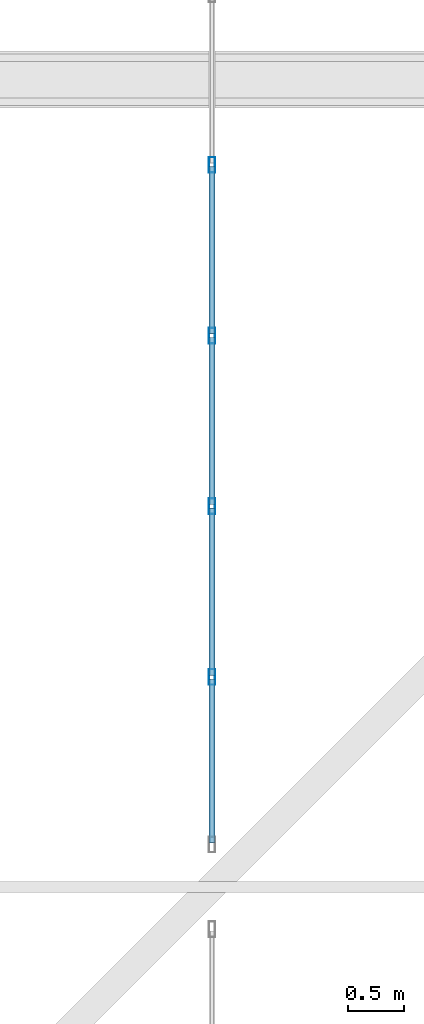
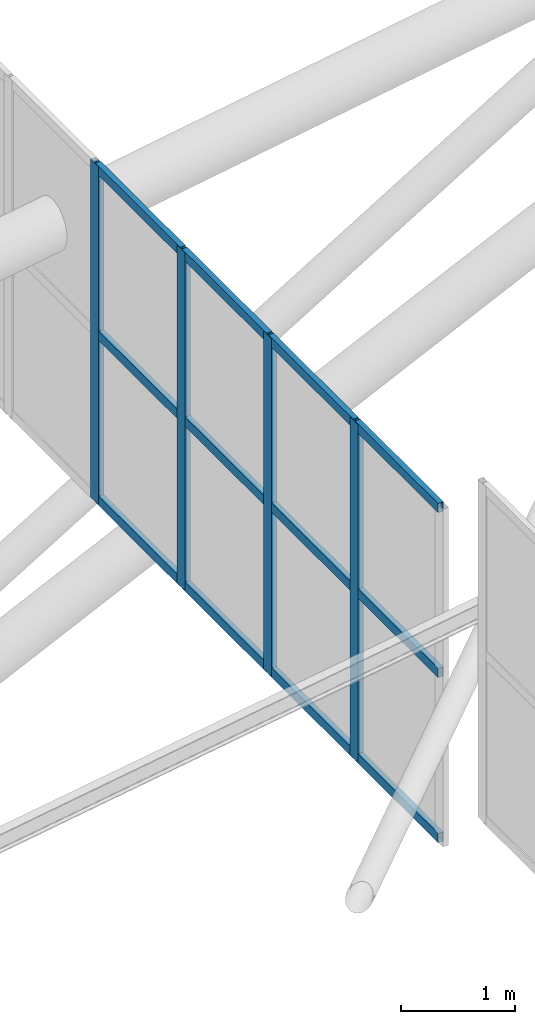
# One storey, part 196 of 397: 16 members, 1 element without a shape of its own.
"""IFC4 building model written with IfcOpenShell, lengths in metres."""

from ifc_helpers import new_model, si_unit, direction, frame, origin, origin_2d, place, context, subcontext, project, spatial, hollow_rectangle, extrude, material, material_profile, profile_set, type_object, element, aggregate, save


model = new_model("IFC4")

# Units and contexts
model_context = context("Model", 3, precision=1e-05, world=origin(), true_north=direction((0.0, 1.0)))
body_context = subcontext(model_context, "Body", "Model", "MODEL_VIEW")
ifc_project = project(units=[si_unit("LENGTHUNIT", "METRE"), si_unit("AREAUNIT", "SQUARE_METRE"), si_unit("VOLUMEUNIT", "CUBIC_METRE"), si_unit("PLANEANGLEUNIT", "RADIAN"), si_unit("MASSUNIT", "GRAM", prefix="KILO")], contexts=[model_context])

# Site, building, storey
site_placement = place(None, origin())
site = spatial("IfcSite", under=ifc_project, at=site_placement, CompositionType="ELEMENT")
building_placement = place(site_placement, origin())
building = spatial("IfcBuilding", under=site, at=building_placement, Name="Qandorah Velis Arena", CompositionType="ELEMENT")
storey_placement = place(building_placement, frame((0.0, 0.0, 27.5)))
storey = spatial("IfcBuildingStorey", under=building, at=storey_placement, Name="RF", CompositionType="ELEMENT", Elevation=27.5)

# Curtain wall, members
ifc_material_1 = material(Name="Solar-control low-E double glazing", Category="glass")
curtain_wall_type = type_object("IfcCurtainWallType", Name="ARC-CW-SYS11", PredefinedType="USERDEFINED", material=ifc_material_1)
curtain_wall_placement = place(storey_placement, origin())
curtain_wall = element("IfcCurtainWall", 1, at=curtain_wall_placement, inside=storey, type_object=curtain_wall_type, Name="Unitised curtain wall MON-1-5", ObjectType="UNITISED CURTAIN WALL", PredefinedType="USERDEFINED")
ifc_material_2 = material(Name="Champagne-bronze anodized aluminium 6063-T6", Category="aluminium")
ifc_material_profile_1 = material_profile(ifc_material_2, hollow_rectangle(XDim=0.054931640625, YDim=0.139892578125, WallThickness=0.0029296875, at=origin_2d()), Name="ALU MULLION 55x140")
ifc_profile_set_1 = profile_set([ifc_material_profile_1], Name="Champagne-bronze anodized aluminium 6063-T6")
member_type_1 = type_object("IfcMemberType", Name="ARC-CWM-140", PredefinedType="MULLION", material=ifc_profile_set_1)
member_1_placement = place(storey_placement, frame((21.60009765625, 81.072265625, 5.13427734375), z_axis=(0.0, 0.0, 1.0), x_axis=(-1.0, 0.0, 0.0)))
member_1 = element("IfcMember", 2, at=member_1_placement, type_object=member_type_1, Name="CW11 mullion 2", PredefinedType="MULLION", context=body_context, shape_type="SweptSolid", body=[
    extrude(hollow_rectangle(XDim=0.054931640625, YDim=0.139892578125, WallThickness=0.0029296875, at=origin_2d()), origin(), (0.0, 0.0, 1.0), 3.630126953125),
])
member_2_placement = place(storey_placement, frame((21.60009765625, 82.594482421875, 5.13427734375), z_axis=(0.0, 0.0, 1.0), x_axis=(-1.0, 0.0, 0.0)))
member_2 = element("IfcMember", 3, at=member_2_placement, type_object=member_type_1, Name="CW11 mullion 3", PredefinedType="MULLION", context=body_context, shape_type="SweptSolid", body=[
    extrude(hollow_rectangle(XDim=0.054931640625, YDim=0.139892578125, WallThickness=0.0029296875, at=origin_2d()), origin(), (0.0, 0.0, 1.0), 3.630126953125),
])
member_3_placement = place(storey_placement, frame((21.60009765625, 84.11669921875, 5.13427734375), z_axis=(0.0, 0.0, 1.0), x_axis=(-1.0, 0.0, 0.0)))
member_3 = element("IfcMember", 4, at=member_3_placement, type_object=member_type_1, Name="CW11 mullion 4", PredefinedType="MULLION", context=body_context, shape_type="SweptSolid", body=[
    extrude(hollow_rectangle(XDim=0.054931640625, YDim=0.139892578125, WallThickness=0.0029296875, at=origin_2d()), origin(), (0.0, 0.0, 1.0), 3.630126953125),
])
member_4_placement = place(storey_placement, frame((21.60009765625, 85.638916015625, 5.13427734375), z_axis=(0.0, 0.0, 1.0), x_axis=(-1.0, 0.0, 0.0)))
member_4 = element("IfcMember", 5, at=member_4_placement, type_object=member_type_1, Name="CW11 mullion 5", PredefinedType="MULLION", context=body_context, shape_type="SweptSolid", body=[
    extrude(hollow_rectangle(XDim=0.054931640625, YDim=0.139892578125, WallThickness=0.0029296875, at=origin_2d()), origin(), (0.0, 0.0, 1.0), 3.630126953125),
])
ifc_material_profile_2 = material_profile(ifc_material_2, hollow_rectangle(XDim=0.054931640625, YDim=0.10009765625, WallThickness=0.0029296875, at=origin_2d()), Name="ALU TRANSOM 55x100")
ifc_profile_set_2 = profile_set([ifc_material_profile_2], Name="Champagne-bronze anodized aluminium 6063-T6")
member_type_2 = type_object("IfcMemberType", Name="ARC-CWT-100", PredefinedType="USERDEFINED", material=ifc_profile_set_2)
member_5_placement = place(storey_placement, frame((21.60009765625, 79.593017578125, 5.1767578125), z_axis=(0.0, 1.0, 0.0), x_axis=(-1.0, 0.0, 0.0)))
member_5 = element("IfcMember", 6, at=member_5_placement, type_object=member_type_2, Name="CW11 transom 1.1", ObjectType="TRANSOM", PredefinedType="USERDEFINED", context=body_context, shape_type="SweptSolid", body=[
    extrude(hollow_rectangle(XDim=0.054931640625, YDim=0.10009765625, WallThickness=0.0029296875, at=origin_2d()), origin(), (0.0, 0.0, 1.0), 1.463623046875),
])
member_6_placement = place(storey_placement, frame((21.60009765625, 79.593017578125, 6.94921875), z_axis=(0.0, 1.0, 0.0), x_axis=(-1.0, 0.0, 0.0)))
member_6 = element("IfcMember", 7, at=member_6_placement, type_object=member_type_2, Name="CW11 transom 1.2", ObjectType="TRANSOM", PredefinedType="USERDEFINED", context=body_context, shape_type="SweptSolid", body=[
    extrude(hollow_rectangle(XDim=0.054931640625, YDim=0.10009765625, WallThickness=0.0029296875, at=origin_2d()), origin(), (0.0, 0.0, 1.0), 1.463623046875),
])
member_7_placement = place(storey_placement, frame((21.60009765625, 79.593017578125, 8.7216796875), z_axis=(0.0, 1.0, 0.0), x_axis=(-1.0, 0.0, 0.0)))
member_7 = element("IfcMember", 8, at=member_7_placement, type_object=member_type_2, Name="CW11 transom 1.3", ObjectType="TRANSOM", PredefinedType="USERDEFINED", context=body_context, shape_type="SweptSolid", body=[
    extrude(hollow_rectangle(XDim=0.054931640625, YDim=0.10009765625, WallThickness=0.0029296875, at=origin_2d()), origin(), (0.0, 0.0, 1.0), 1.463623046875),
])
member_8_placement = place(storey_placement, frame((21.60009765625, 81.087646484375, 5.1767578125), z_axis=(0.0, 1.0, 0.0), x_axis=(-1.0, 0.0, 0.0)))
member_8 = element("IfcMember", 9, at=member_8_placement, type_object=member_type_2, Name="CW11 transom 2.1", ObjectType="TRANSOM", PredefinedType="USERDEFINED", context=body_context, shape_type="SweptSolid", body=[
    extrude(hollow_rectangle(XDim=0.054931640625, YDim=0.10009765625, WallThickness=0.0029296875, at=origin_2d()), origin(), (0.0, 0.0, 1.0), 1.4912109375),
])
member_9_placement = place(storey_placement, frame((21.60009765625, 81.087646484375, 6.94921875), z_axis=(0.0, 1.0, 0.0), x_axis=(-1.0, 0.0, 0.0)))
member_9 = element("IfcMember", 10, at=member_9_placement, type_object=member_type_2, Name="CW11 transom 2.2", ObjectType="TRANSOM", PredefinedType="USERDEFINED", context=body_context, shape_type="SweptSolid", body=[
    extrude(hollow_rectangle(XDim=0.054931640625, YDim=0.10009765625, WallThickness=0.0029296875, at=origin_2d()), origin(), (0.0, 0.0, 1.0), 1.4912109375),
])
member_10_placement = place(storey_placement, frame((21.60009765625, 81.087646484375, 8.7216796875), z_axis=(0.0, 1.0, 0.0), x_axis=(-1.0, 0.0, 0.0)))
member_10 = element("IfcMember", 11, at=member_10_placement, type_object=member_type_2, Name="CW11 transom 2.3", ObjectType="TRANSOM", PredefinedType="USERDEFINED", context=body_context, shape_type="SweptSolid", body=[
    extrude(hollow_rectangle(XDim=0.054931640625, YDim=0.10009765625, WallThickness=0.0029296875, at=origin_2d()), origin(), (0.0, 0.0, 1.0), 1.4912109375),
])
member_11_placement = place(storey_placement, frame((21.60009765625, 82.60986328125, 5.1767578125), z_axis=(0.0, 1.0, 0.0), x_axis=(-1.0, 0.0, 0.0)))
member_11 = element("IfcMember", 12, at=member_11_placement, type_object=member_type_2, Name="CW11 transom 3.1", ObjectType="TRANSOM", PredefinedType="USERDEFINED", context=body_context, shape_type="SweptSolid", body=[
    extrude(hollow_rectangle(XDim=0.054931640625, YDim=0.10009765625, WallThickness=0.0029296875, at=origin_2d()), origin(), (0.0, 0.0, 1.0), 1.491455078125),
])
member_12_placement = place(storey_placement, frame((21.60009765625, 82.60986328125, 6.94921875), z_axis=(0.0, 1.0, 0.0), x_axis=(-1.0, 0.0, 0.0)))
member_12 = element("IfcMember", 13, at=member_12_placement, type_object=member_type_2, Name="CW11 transom 3.2", ObjectType="TRANSOM", PredefinedType="USERDEFINED", context=body_context, shape_type="SweptSolid", body=[
    extrude(hollow_rectangle(XDim=0.054931640625, YDim=0.10009765625, WallThickness=0.0029296875, at=origin_2d()), origin(), (0.0, 0.0, 1.0), 1.491455078125),
])
member_13_placement = place(storey_placement, frame((21.60009765625, 82.60986328125, 8.7216796875), z_axis=(0.0, 1.0, 0.0), x_axis=(-1.0, 0.0, 0.0)))
member_13 = element("IfcMember", 14, at=member_13_placement, type_object=member_type_2, Name="CW11 transom 3.3", ObjectType="TRANSOM", PredefinedType="USERDEFINED", context=body_context, shape_type="SweptSolid", body=[
    extrude(hollow_rectangle(XDim=0.054931640625, YDim=0.10009765625, WallThickness=0.0029296875, at=origin_2d()), origin(), (0.0, 0.0, 1.0), 1.491455078125),
])
member_14_placement = place(storey_placement, frame((21.60009765625, 84.132080078125, 5.1767578125), z_axis=(0.0, 1.0, 0.0), x_axis=(-1.0, 0.0, 0.0)))
member_14 = element("IfcMember", 15, at=member_14_placement, type_object=member_type_2, Name="CW11 transom 4.1", ObjectType="TRANSOM", PredefinedType="USERDEFINED", context=body_context, shape_type="SweptSolid", body=[
    extrude(hollow_rectangle(XDim=0.054931640625, YDim=0.10009765625, WallThickness=0.0029296875, at=origin_2d()), origin(), (0.0, 0.0, 1.0), 1.4912109375),
])
member_15_placement = place(storey_placement, frame((21.60009765625, 84.132080078125, 6.94921875), z_axis=(0.0, 1.0, 0.0), x_axis=(-1.0, 0.0, 0.0)))
member_15 = element("IfcMember", 16, at=member_15_placement, type_object=member_type_2, Name="CW11 transom 4.2", ObjectType="TRANSOM", PredefinedType="USERDEFINED", context=body_context, shape_type="SweptSolid", body=[
    extrude(hollow_rectangle(XDim=0.054931640625, YDim=0.10009765625, WallThickness=0.0029296875, at=origin_2d()), origin(), (0.0, 0.0, 1.0), 1.4912109375),
])
member_16_placement = place(storey_placement, frame((21.60009765625, 84.132080078125, 8.7216796875), z_axis=(0.0, 1.0, 0.0), x_axis=(-1.0, 0.0, 0.0)))
member_16 = element("IfcMember", 17, at=member_16_placement, type_object=member_type_2, Name="CW11 transom 4.3", ObjectType="TRANSOM", PredefinedType="USERDEFINED", context=body_context, shape_type="SweptSolid", body=[
    extrude(hollow_rectangle(XDim=0.054931640625, YDim=0.10009765625, WallThickness=0.0029296875, at=origin_2d()), origin(), (0.0, 0.0, 1.0), 1.4912109375),
])
aggregate(curtain_wall, [member_1, member_2, member_3, member_4, member_5, member_6, member_7, member_8, member_9, member_10, member_11, member_12, member_13, member_14, member_15, member_16])

save(model, "model.ifc")
